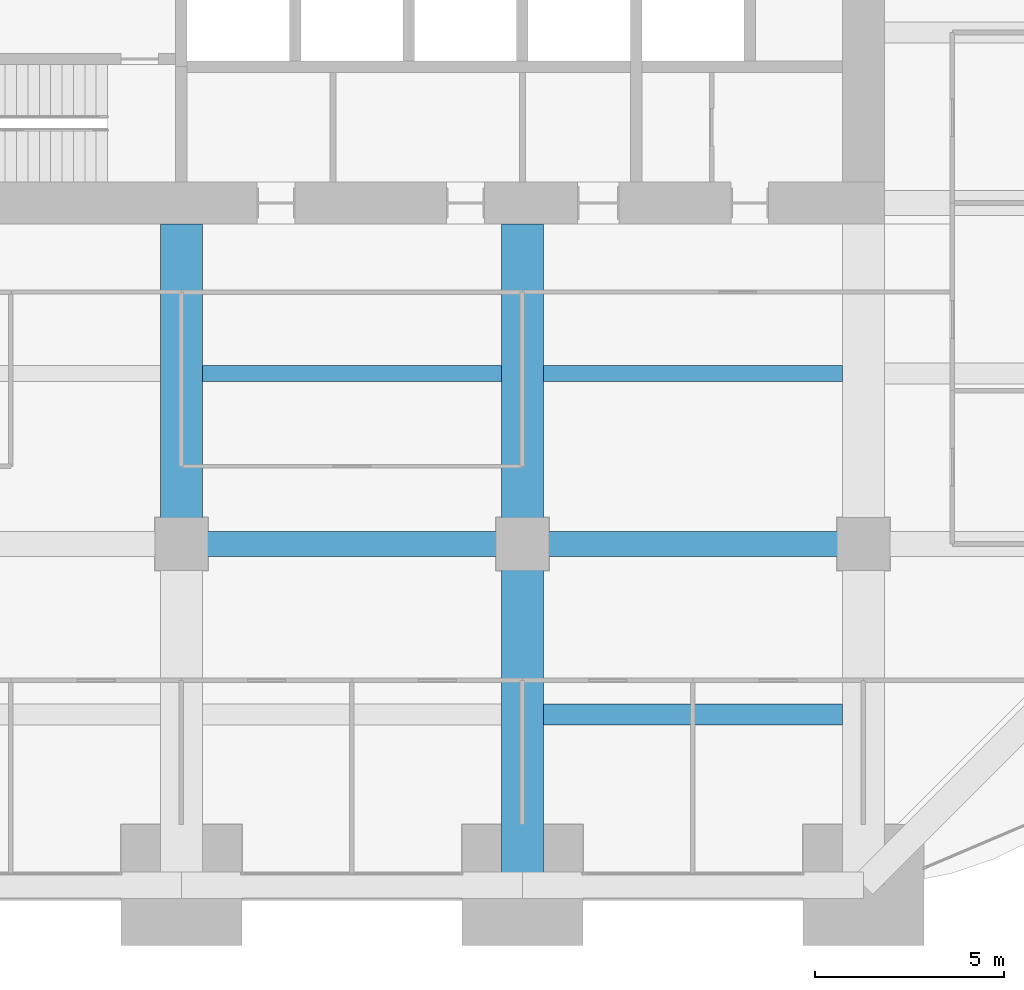
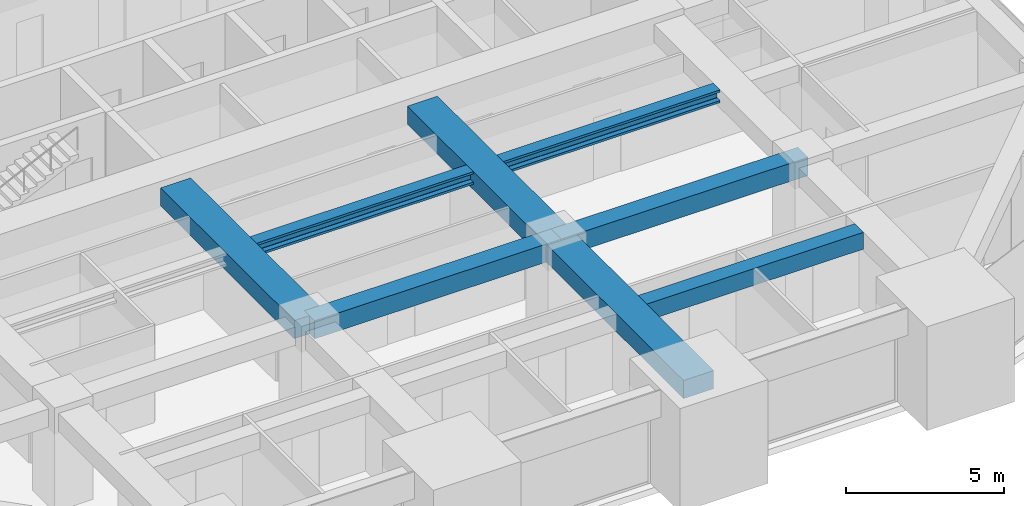
# One storey, part 12 of 43: 8 beams.
"""IFC4 building model written with IfcOpenShell, lengths in metres."""

from ifc_helpers import new_model, si_unit, direction, frame, origin, origin_2d, place, context, subcontext, project, spatial, rectangle, i_section, extrude, material, material_profile, profile_set, type_object, element, save


model = new_model("IFC4")

# Units and contexts
model_context = context("Model", 3, precision=1e-05, world=origin(), true_north=direction((0.0, 1.0)))
body_context = subcontext(model_context, "Body", "Model", "MODEL_VIEW")
ifc_project = project(units=[si_unit("LENGTHUNIT", "METRE"), si_unit("AREAUNIT", "SQUARE_METRE"), si_unit("VOLUMEUNIT", "CUBIC_METRE"), si_unit("PLANEANGLEUNIT", "RADIAN"), si_unit("MASSUNIT", "GRAM", prefix="KILO")], contexts=[model_context])

# Site, building, storey
site_placement = place(None, origin())
site = spatial("IfcSite", under=ifc_project, at=site_placement, CompositionType="ELEMENT")
building_placement = place(site_placement, origin())
building = spatial("IfcBuilding", under=site, at=building_placement, Name="Zorevar Civic Tower", CompositionType="ELEMENT")
storey_placement = place(building_placement, frame((0.0, 0.0, 243.39990234375)))
storey = spatial("IfcBuildingStorey", under=building, at=storey_placement, Name="L59", CompositionType="ELEMENT", Elevation=243.39990234375)

# Beams
ifc_material_1 = material(Name="Concrete C50/60", Category="concrete")
ifc_material_profile_1 = material_profile(ifc_material_1, rectangle(XDim=1.10009765625, YDim=0.699951171875, at=origin_2d()), Name="RC 1100x700")
ifc_profile_set_1 = profile_set([ifc_material_profile_1], Name="Concrete C50/60")
beam_type_1 = type_object("IfcBeamType", Name="Beam RC 1100x700", PredefinedType="BEAM", material=ifc_profile_set_1)
beam_1_placement = place(storey_placement, frame((27.0, 9.0, 3.400146484375), z_axis=(0.0, 1.0, 0.0), x_axis=(-1.0, 0.0, 0.0)))
element("IfcBeam", 1, at=beam_1_placement, inside=storey, type_object=beam_type_1, Name="Girder L60", PredefinedType="BEAM", context=body_context, shape_type="SweptSolid", body=[
    extrude(rectangle(XDim=1.10009765625, YDim=0.699951171875, at=origin_2d()), origin(), (0.0, 0.0, 1.0), 8.449951171875),
])
beam_2_placement = place(storey_placement, frame((36.0, 0.0, 3.400146484375), z_axis=(0.0, 1.0, 0.0), x_axis=(-1.0, 0.0, 0.0)))
element("IfcBeam", 2, at=beam_2_placement, inside=storey, type_object=beam_type_1, Name="Girder L60", PredefinedType="BEAM", context=body_context, shape_type="SweptSolid", body=[
    extrude(rectangle(XDim=1.10009765625, YDim=0.699951171875, at=origin_2d()), origin(), (0.0, 0.0, 1.0), 9.0),
])
beam_3_placement = place(storey_placement, frame((36.0, 9.0, 3.400146484375), z_axis=(0.0, 1.0, 0.0), x_axis=(-1.0, 0.0, 0.0)))
element("IfcBeam", 3, at=beam_3_placement, inside=storey, type_object=beam_type_1, Name="Girder L60", PredefinedType="BEAM", context=body_context, shape_type="SweptSolid", body=[
    extrude(rectangle(XDim=1.10009765625, YDim=0.699951171875, at=origin_2d()), origin(), (0.0, 0.0, 1.0), 8.449951171875),
])
ifc_material_2 = material(Name="Concrete C50/60", Category="concrete")
ifc_material_profile_2 = material_profile(ifc_material_2, rectangle(XDim=0.550048828125, YDim=0.64990234375, at=origin_2d()), Name="RC 550x650")
ifc_profile_set_2 = profile_set([ifc_material_profile_2], Name="Concrete C50/60")
beam_type_2 = type_object("IfcBeamType", Name="Beam RC 550x650", PredefinedType="BEAM", material=ifc_profile_set_2)
beam_4_placement = place(storey_placement, frame((36.550048828125, 4.5, 3.425048828125), z_axis=(1.0, 0.0, 0.0), x_axis=(0.0, 1.0, 0.0)))
element("IfcBeam", 4, at=beam_4_placement, inside=storey, type_object=beam_type_2, Name="Secondary beam L60", PredefinedType="BEAM", context=body_context, shape_type="SweptSolid", body=[
    extrude(rectangle(XDim=0.550048828125, YDim=0.64990234375, at=origin_2d()), origin(), (0.0, 0.0, 1.0), 7.89990234375),
])
ifc_material_3 = material(Name="Concrete C50/60", Category="concrete")
ifc_material_profile_3 = material_profile(ifc_material_3, rectangle(XDim=0.64990234375, YDim=0.699951171875, at=origin_2d()), Name="RC 650x700")
ifc_profile_set_3 = profile_set([ifc_material_profile_3], Name="Concrete C50/60")
beam_type_3 = type_object("IfcBeamType", Name="Beam RC 650x700", PredefinedType="BEAM", material=ifc_profile_set_3)
for number, where, z_axis, x_axis, name in (
    (5, (27.0, 9.0, 3.400146484375), (1.0, 0.0, 0.0), (0.0, 1.0, 0.0), "Girder L60"),
    (6, (36.0, 9.0, 3.400146484375), (1.0, 0.0, 0.0), (0.0, 1.0, 0.0), "Girder L60"),
):
    element("IfcBeam", number, at=place(storey_placement, frame(where, z_axis=z_axis, x_axis=x_axis)), inside=storey, type_object=beam_type_3, Name=name, PredefinedType="BEAM", context=body_context, shape_type="SweptSolid", body=[
        extrude(rectangle(XDim=0.64990234375, YDim=0.699951171875, at=origin_2d()), origin(), (0.0, 0.0, 1.0), 9.0),
    ])
ifc_material_4 = material(Name="Steel S460M (HISTAR 460)", Category="steel")
ifc_material_profile_4 = material_profile(ifc_material_4, i_section(OverallWidth=0.431884765625, OverallDepth=0.498046875, WebThickness=0.0556640625, FlangeThickness=0.0888671875, FilletRadius=0.014892578125, at=origin_2d()), Name="HD 400x744")
ifc_profile_set_4 = profile_set([ifc_material_profile_4], Name="Steel S460M (HISTAR 460)")
beam_type_4 = type_object("IfcBeamType", Name="Core bay beam HD 400x744", PredefinedType="BEAM", material=ifc_profile_set_4)
for number, where, z_axis, x_axis, name in (
    (7, (27.550048828125, 13.5, 3.5009765625), (1.0, 0.0, 0.0), (0.0, 1.0, 0.0), "Secondary beam L60"),
    (8, (36.550048828125, 13.5, 3.5009765625), (1.0, 0.0, 0.0), (0.0, 1.0, 0.0), "Secondary beam L60"),
):
    element("IfcBeam", number, at=place(storey_placement, frame(where, z_axis=z_axis, x_axis=x_axis)), inside=storey, type_object=beam_type_4, Name=name, PredefinedType="BEAM", context=body_context, shape_type="SweptSolid", body=[
        extrude(i_section(OverallWidth=0.431884765625, OverallDepth=0.498046875, WebThickness=0.0556640625, FlangeThickness=0.0888671875, FilletRadius=0.014892578125, at=origin_2d()), origin(), (0.0, 0.0, 1.0), 7.89990234375),
    ])

save(model, "model.ifc")
